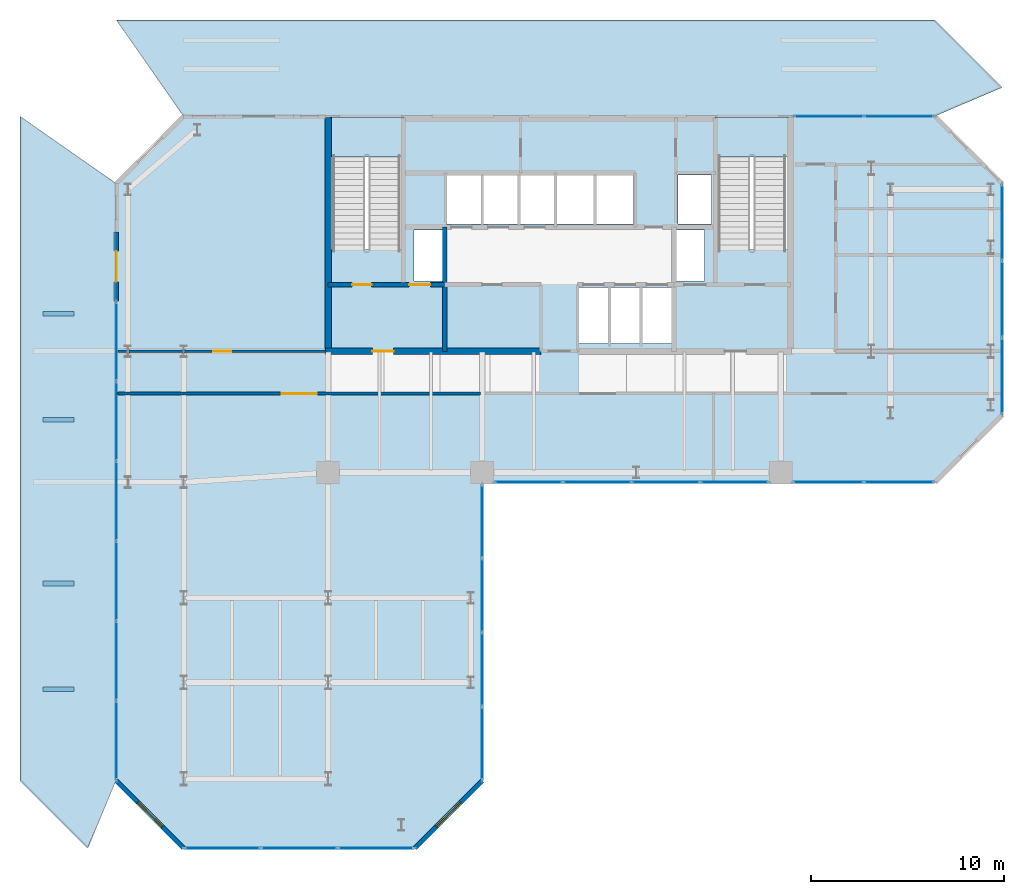
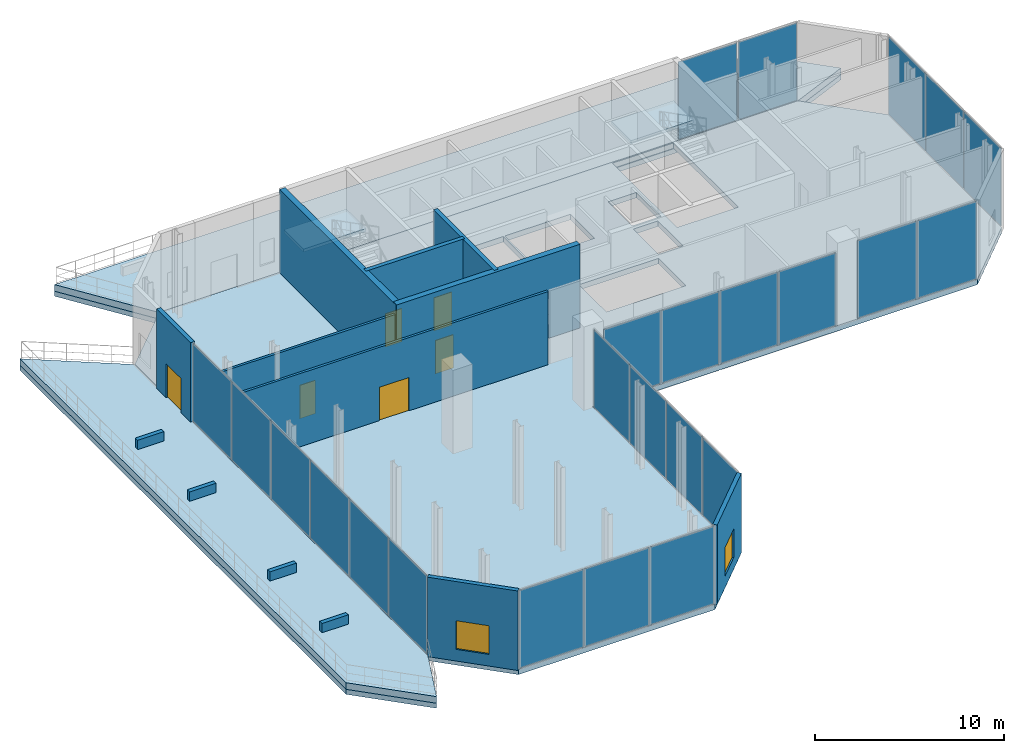
# One storey, part 14 of 18: 24 plates, 13 walls, 7 slabs, 6 doors, 2 windows, 8 openings, 9 elements without a shape of their own.
"""IFC4 building model written with IfcOpenShell, lengths in metres."""

from ifc_helpers import new_model, si_unit, direction, frame, frame_2d, origin, origin_2d, place, context, subcontext, project, spatial, polyline, rectangle, outline, extrude, material, layer, layer_set, type_object, element, fill, aggregate, save


model = new_model("IFC4")

# Units and contexts
model_context = context("Model", 3, precision=1e-05, world=origin(), true_north=direction((0.0, 1.0)))
body_context = subcontext(model_context, "Body", "Model", "MODEL_VIEW")
ifc_project = project(units=[si_unit("LENGTHUNIT", "METRE"), si_unit("AREAUNIT", "SQUARE_METRE"), si_unit("VOLUMEUNIT", "CUBIC_METRE"), si_unit("PLANEANGLEUNIT", "RADIAN"), si_unit("MASSUNIT", "GRAM", prefix="KILO")], contexts=[model_context])

# Site, building, storey
site_placement = place(None, origin())
site = spatial("IfcSite", under=ifc_project, at=site_placement, CompositionType="ELEMENT")
building_placement = place(site_placement, origin())
building = spatial("IfcBuilding", under=site, at=building_placement, Name="Catumbela Crestline Tower", CompositionType="ELEMENT")
storey_placement = place(building_placement, frame((0.0, 0.0, 148.8)))
storey = spatial("IfcBuildingStorey", under=building, at=storey_placement, Name="L38", CompositionType="ELEMENT", Elevation=148.8)

# Curtain wall, plates
ifc_material_1 = material(Name="Aluminium alloy AW-6060-T66", Category="aluminium")
ifc_layer_1 = layer(ifc_material_1, 0.18, Name="Aluminium alloy AW-6060-T66")
ifc_layer_set_1 = layer_set([ifc_layer_1], Name="Aluminium alloy AW-6060-T66")
curtain_wall_type = type_object("IfcCurtainWallType", Name="CWU-SKY", PredefinedType="USERDEFINED", material=ifc_layer_set_1)
curtain_wall_1_placement = place(storey_placement, origin())
curtain_wall_1 = element("IfcCurtainWall", 1, at=curtain_wall_1_placement, inside=storey, type_object=curtain_wall_type, Name="L38 Unitised Curtain Wall CW-L38-E0S1", ObjectType="UNITISED", PredefinedType="USERDEFINED")
ifc_material_2 = material(Name="Low-E laminated solar-control double glazing", Category="glass")
ifc_layer_2 = layer(ifc_material_2, 0.036, Name="Low-E laminated solar-control double glazing")
ifc_layer_set_2 = layer_set([ifc_layer_2], Name="Low-E laminated solar-control double glazing")
plate_type = type_object("IfcPlateType", Name="PNL-GLZ-SK", PredefinedType="CURTAIN_PANEL", material=ifc_layer_set_2)
plate_1_placement = place(storey_placement, frame((10.5162, 5.0, 0.06), z_axis=(0.0, 0.0, 1.0), x_axis=(1.0, 0.0, 0.0)))
plate_1 = element("IfcPlate", 2, at=plate_1_placement, type_object=plate_type, Name="CWU-SKY panel 1.1", PredefinedType="CURTAIN_PANEL", context=body_context, shape_type="SweptSolid", body=[
    extrude(rectangle(XDim=3.9025, YDim=0.034, at=origin_2d()), origin(), (0.0, 0.0, 1.0), 5.01),
])
plate_2_placement = place(storey_placement, frame((14.5, 5.0, 0.06), z_axis=(0.0, 0.0, 1.0), x_axis=(1.0, 0.0, 0.0)))
plate_2 = element("IfcPlate", 3, at=plate_2_placement, type_object=plate_type, Name="CWU-SKY panel 2.1", PredefinedType="CURTAIN_PANEL", context=body_context, shape_type="SweptSolid", body=[
    extrude(rectangle(XDim=3.935, YDim=0.034, at=origin_2d()), origin(), (0.0, 0.0, 1.0), 5.01),
])
plate_3_placement = place(storey_placement, frame((18.4838, 5.0, 0.06), z_axis=(0.0, 0.0, 1.0), x_axis=(1.0, 0.0, 0.0)))
plate_3 = element("IfcPlate", 4, at=plate_3_placement, type_object=plate_type, Name="CWU-SKY panel 3.1", PredefinedType="CURTAIN_PANEL", context=body_context, shape_type="SweptSolid", body=[
    extrude(rectangle(XDim=3.9025, YDim=0.034, at=origin_2d()), origin(), (0.0, 0.0, 1.0), 5.01),
])
aggregate(curtain_wall_1, [plate_1, plate_2, plate_3])

curtain_wall_2_placement = place(storey_placement, origin())
curtain_wall_2 = element("IfcCurtainWall", 5, at=curtain_wall_2_placement, inside=storey, type_object=curtain_wall_type, Name="L38 Unitised Curtain Wall CW-L38-E2S1", ObjectType="UNITISED", PredefinedType="USERDEFINED")
plate_4_placement = place(storey_placement, frame((24.0, 10.4412, 0.06), z_axis=(0.0, 0.0, 1.0), x_axis=(0.0, 1.0, 0.0)))
plate_4 = element("IfcPlate", 6, at=plate_4_placement, type_object=plate_type, Name="CWU-SKY panel 1.1", PredefinedType="CURTAIN_PANEL", context=body_context, shape_type="SweptSolid", body=[
    extrude(rectangle(XDim=3.7525, YDim=0.034, at=origin_2d()), origin(), (0.0, 0.0, 1.0), 5.01),
])
plate_5_placement = place(storey_placement, frame((24.0, 14.275, 0.06), z_axis=(0.0, 0.0, 1.0), x_axis=(0.0, 1.0, 0.0)))
plate_5 = element("IfcPlate", 7, at=plate_5_placement, type_object=plate_type, Name="CWU-SKY panel 2.1", PredefinedType="CURTAIN_PANEL", context=body_context, shape_type="SweptSolid", body=[
    extrude(rectangle(XDim=3.785, YDim=0.034, at=origin_2d()), origin(), (0.0, 0.0, 1.0), 5.01),
])
plate_6_placement = place(storey_placement, frame((24.0, 18.125, 0.06), z_axis=(0.0, 0.0, 1.0), x_axis=(0.0, 1.0, 0.0)))
plate_6 = element("IfcPlate", 8, at=plate_6_placement, type_object=plate_type, Name="CWU-SKY panel 3.1", PredefinedType="CURTAIN_PANEL", context=body_context, shape_type="SweptSolid", body=[
    extrude(rectangle(XDim=3.785, YDim=0.034, at=origin_2d()), origin(), (0.0, 0.0, 1.0), 5.01),
])
plate_7_placement = place(storey_placement, frame((24.0, 21.9587, 0.06), z_axis=(0.0, 0.0, 1.0), x_axis=(0.0, 1.0, 0.0)))
plate_7 = element("IfcPlate", 9, at=plate_7_placement, type_object=plate_type, Name="CWU-SKY panel 4.1", PredefinedType="CURTAIN_PANEL", context=body_context, shape_type="SweptSolid", body=[
    extrude(rectangle(XDim=3.7525, YDim=0.034, at=origin_2d()), origin(), (0.0, 0.0, 1.0), 5.01),
])
aggregate(curtain_wall_2, [plate_4, plate_5, plate_6, plate_7])

curtain_wall_3_placement = place(storey_placement, origin())
curtain_wall_3 = element("IfcCurtainWall", 10, at=curtain_wall_3_placement, inside=storey, type_object=curtain_wall_type, Name="L38 Unitised Curtain Wall CW-L38-E3S1", ObjectType="UNITISED", PredefinedType="USERDEFINED")
plate_8_placement = place(storey_placement, frame((26.4038, 24.0, 0.06), z_axis=(0.0, 0.0, 1.0), x_axis=(1.0, 0.0, 0.0)))
plate_8 = element("IfcPlate", 11, at=plate_8_placement, type_object=plate_type, Name="CWU-SKY panel 1.1", PredefinedType="CURTAIN_PANEL", context=body_context, shape_type="SweptSolid", body=[
    extrude(rectangle(XDim=3.4775, YDim=0.034, at=origin_2d()), origin(), (0.0, 0.0, 1.0), 4.69),
])
plate_9_placement = place(storey_placement, frame((29.9625, 24.0, 0.06), z_axis=(0.0, 0.0, 1.0), x_axis=(1.0, 0.0, 0.0)))
plate_9 = element("IfcPlate", 12, at=plate_9_placement, type_object=plate_type, Name="CWU-SKY panel 2.1", PredefinedType="CURTAIN_PANEL", context=body_context, shape_type="SweptSolid", body=[
    extrude(rectangle(XDim=3.51, YDim=0.034, at=origin_2d()), origin(), (0.0, 0.0, 1.0), 4.69),
])
plate_10_placement = place(storey_placement, frame((33.5375, 24.0, 0.06), z_axis=(0.0, 0.0, 1.0), x_axis=(1.0, 0.0, 0.0)))
plate_10 = element("IfcPlate", 13, at=plate_10_placement, type_object=plate_type, Name="CWU-SKY panel 3.1", PredefinedType="CURTAIN_PANEL", context=body_context, shape_type="SweptSolid", body=[
    extrude(rectangle(XDim=3.51, YDim=0.034, at=origin_2d()), origin(), (0.0, 0.0, 1.0), 4.69),
])
plate_11_placement = place(storey_placement, frame((37.0962, 24.0, 0.06), z_axis=(0.0, 0.0, 1.0), x_axis=(1.0, 0.0, 0.0)))
plate_11 = element("IfcPlate", 14, at=plate_11_placement, type_object=plate_type, Name="CWU-SKY panel 4.1", PredefinedType="CURTAIN_PANEL", context=body_context, shape_type="SweptSolid", body=[
    extrude(rectangle(XDim=3.4775, YDim=0.034, at=origin_2d()), origin(), (0.0, 0.0, 1.0), 4.69),
])
aggregate(curtain_wall_3, [plate_8, plate_9, plate_10, plate_11])

curtain_wall_4_placement = place(storey_placement, origin())
curtain_wall_4 = element("IfcCurtainWall", 15, at=curtain_wall_4_placement, inside=storey, type_object=curtain_wall_type, Name="L38 Unitised Curtain Wall CW-L38-E3S2", ObjectType="UNITISED", PredefinedType="USERDEFINED")
plate_12_placement = place(storey_placement, frame((41.9662, 24.0, 0.06), z_axis=(0.0, 0.0, 1.0), x_axis=(1.0, 0.0, 0.0)))
plate_12 = element("IfcPlate", 16, at=plate_12_placement, type_object=plate_type, Name="CWU-SKY panel 1.1", PredefinedType="CURTAIN_PANEL", context=body_context, shape_type="SweptSolid", body=[
    extrude(rectangle(XDim=3.6025, YDim=0.034, at=origin_2d()), origin(), (0.0, 0.0, 1.0), 5.01),
])
plate_13_placement = place(storey_placement, frame((45.6338, 24.0, 0.06), z_axis=(0.0, 0.0, 1.0), x_axis=(1.0, 0.0, 0.0)))
plate_13 = element("IfcPlate", 17, at=plate_13_placement, type_object=plate_type, Name="CWU-SKY panel 2.1", PredefinedType="CURTAIN_PANEL", context=body_context, shape_type="SweptSolid", body=[
    extrude(rectangle(XDim=3.6025, YDim=0.034, at=origin_2d()), origin(), (0.0, 0.0, 1.0), 5.01),
])
aggregate(curtain_wall_4, [plate_12, plate_13])

curtain_wall_5_placement = place(storey_placement, origin())
curtain_wall_5 = element("IfcCurtainWall", 18, at=curtain_wall_5_placement, inside=storey, type_object=curtain_wall_type, Name="L38 Unitised Curtain Wall CW-L38-E5S1", ObjectType="UNITISED", PredefinedType="USERDEFINED")
plate_14_placement = place(storey_placement, frame((51.0, 29.5162, 0.06), z_axis=(0.0, 0.0, 1.0), x_axis=(0.0, 1.0, 0.0)))
plate_14 = element("IfcPlate", 19, at=plate_14_placement, type_object=plate_type, Name="CWU-SKY panel 1.1", PredefinedType="CURTAIN_PANEL", context=body_context, shape_type="SweptSolid", body=[
    extrude(rectangle(XDim=3.9025, YDim=0.034, at=origin_2d()), origin(), (0.0, 0.0, 1.0), 5.01),
])
plate_15_placement = place(storey_placement, frame((51.0, 33.5, 0.06), z_axis=(0.0, 0.0, 1.0), x_axis=(0.0, 1.0, 0.0)))
plate_15 = element("IfcPlate", 20, at=plate_15_placement, type_object=plate_type, Name="CWU-SKY panel 2.1", PredefinedType="CURTAIN_PANEL", context=body_context, shape_type="SweptSolid", body=[
    extrude(rectangle(XDim=3.935, YDim=0.034, at=origin_2d()), origin(), (0.0, 0.0, 1.0), 5.01),
])
plate_16_placement = place(storey_placement, frame((51.0, 37.4838, 0.06), z_axis=(0.0, 0.0, 1.0), x_axis=(0.0, 1.0, 0.0)))
plate_16 = element("IfcPlate", 21, at=plate_16_placement, type_object=plate_type, Name="CWU-SKY panel 3.1", PredefinedType="CURTAIN_PANEL", context=body_context, shape_type="SweptSolid", body=[
    extrude(rectangle(XDim=3.9025, YDim=0.034, at=origin_2d()), origin(), (0.0, 0.0, 1.0), 5.01),
])
aggregate(curtain_wall_5, [plate_14, plate_15, plate_16])

curtain_wall_6_placement = place(storey_placement, origin())
curtain_wall_6 = element("IfcCurtainWall", 22, at=curtain_wall_6_placement, inside=storey, type_object=curtain_wall_type, Name="L38 Unitised Curtain Wall CW-L38-E7S1", ObjectType="UNITISED", PredefinedType="USERDEFINED")
plate_17_placement = place(storey_placement, frame((45.6438, 43.0, 0.06), z_axis=(0.0, 0.0, 1.0), x_axis=(-1.0, 0.0, 0.0)))
plate_17 = element("IfcPlate", 23, at=plate_17_placement, type_object=plate_type, Name="CWU-SKY panel 1.1", PredefinedType="CURTAIN_PANEL", context=body_context, shape_type="SweptSolid", body=[
    extrude(rectangle(XDim=3.5825, YDim=0.034, at=origin_2d()), origin(), (0.0, 0.0, 1.0), 5.01),
])
plate_18_placement = place(storey_placement, frame((41.9963, 43.0, 0.06), z_axis=(0.0, 0.0, 1.0), x_axis=(-1.0, 0.0, 0.0)))
plate_18 = element("IfcPlate", 24, at=plate_18_placement, type_object=plate_type, Name="CWU-SKY panel 2.1", PredefinedType="CURTAIN_PANEL", context=body_context, shape_type="SweptSolid", body=[
    extrude(rectangle(XDim=3.5825, YDim=0.034, at=origin_2d()), origin(), (0.0, 0.0, 1.0), 5.01),
])
aggregate(curtain_wall_6, [plate_17, plate_18])

curtain_wall_7_placement = place(storey_placement, origin())
curtain_wall_7 = element("IfcCurtainWall", 25, at=curtain_wall_7_placement, inside=storey, type_object=curtain_wall_type, Name="L38 Unitised Curtain Wall CW-L38-E9S2", ObjectType="UNITISED", PredefinedType="USERDEFINED")
plate_19_placement = place(storey_placement, frame((5.0, 31.3088, 0.06), z_axis=(0.0, 0.0, 1.0), x_axis=(0.0, -1.0, 0.0)))
plate_19 = element("IfcPlate", 26, at=plate_19_placement, type_object=plate_type, Name="CWU-SKY panel 1.1", PredefinedType="CURTAIN_PANEL", context=body_context, shape_type="SweptSolid", body=[
    extrude(rectangle(XDim=4.0525, YDim=0.034, at=origin_2d()), origin(), (0.0, 0.0, 1.0), 5.01),
])
plate_20_placement = place(storey_placement, frame((5.0, 27.175, 0.06), z_axis=(0.0, 0.0, 1.0), x_axis=(0.0, -1.0, 0.0)))
plate_20 = element("IfcPlate", 27, at=plate_20_placement, type_object=plate_type, Name="CWU-SKY panel 2.1", PredefinedType="CURTAIN_PANEL", context=body_context, shape_type="SweptSolid", body=[
    extrude(rectangle(XDim=4.085, YDim=0.034, at=origin_2d()), origin(), (0.0, 0.0, 1.0), 5.01),
])
plate_21_placement = place(storey_placement, frame((5.0, 23.025, 0.06), z_axis=(0.0, 0.0, 1.0), x_axis=(0.0, -1.0, 0.0)))
plate_21 = element("IfcPlate", 28, at=plate_21_placement, type_object=plate_type, Name="CWU-SKY panel 3.1", PredefinedType="CURTAIN_PANEL", context=body_context, shape_type="SweptSolid", body=[
    extrude(rectangle(XDim=4.085, YDim=0.034, at=origin_2d()), origin(), (0.0, 0.0, 1.0), 5.01),
])
plate_22_placement = place(storey_placement, frame((5.0, 18.875, 0.06), z_axis=(0.0, 0.0, 1.0), x_axis=(0.0, -1.0, 0.0)))
plate_22 = element("IfcPlate", 29, at=plate_22_placement, type_object=plate_type, Name="CWU-SKY panel 4.1", PredefinedType="CURTAIN_PANEL", context=body_context, shape_type="SweptSolid", body=[
    extrude(rectangle(XDim=4.085, YDim=0.034, at=origin_2d()), origin(), (0.0, 0.0, 1.0), 5.01),
])
plate_23_placement = place(storey_placement, frame((5.0, 14.725, 0.06), z_axis=(0.0, 0.0, 1.0), x_axis=(0.0, -1.0, 0.0)))
plate_23 = element("IfcPlate", 30, at=plate_23_placement, type_object=plate_type, Name="CWU-SKY panel 5.1", PredefinedType="CURTAIN_PANEL", context=body_context, shape_type="SweptSolid", body=[
    extrude(rectangle(XDim=4.085, YDim=0.034, at=origin_2d()), origin(), (0.0, 0.0, 1.0), 5.01),
])
plate_24_placement = place(storey_placement, frame((5.0, 10.5912, 0.06), z_axis=(0.0, 0.0, 1.0), x_axis=(0.0, -1.0, 0.0)))
plate_24 = element("IfcPlate", 31, at=plate_24_placement, type_object=plate_type, Name="CWU-SKY panel 6.1", PredefinedType="CURTAIN_PANEL", context=body_context, shape_type="SweptSolid", body=[
    extrude(rectangle(XDim=4.0525, YDim=0.034, at=origin_2d()), origin(), (0.0, 0.0, 1.0), 5.01),
])
aggregate(curtain_wall_7, [plate_19, plate_20, plate_21, plate_22, plate_23, plate_24])

# Stair, slab
ifc_material_3 = material(Name="Concrete C45/55", Category="concrete")
stair_type = type_object("IfcStairType", Name="ST-DLG", PredefinedType="HALF_TURN_STAIR", material=ifc_material_3)
stair_1_placement = place(storey_placement, origin())
stair_1 = element("IfcStair", 32, at=stair_1_placement, inside=storey, type_object=stair_type, Name="L38 West Core Pressurised Exit Stair ST-01", PredefinedType="HALF_TURN_STAIR")
ifc_layer_3 = layer(ifc_material_3, 0.2, Name="Concrete C45/55")
ifc_layer_set_3 = layer_set([ifc_layer_3], Name="Concrete C45/55")
slab_type_1 = type_object("IfcSlabType", Name="SL-LND", PredefinedType="LANDING", material=ifc_layer_set_3)
slab_1_placement = place(storey_placement, frame((0.0, 0.0, 2.5)))
slab_1 = element("IfcSlab", 33, at=slab_1_placement, type_object=slab_type_1, Name="ST-01 landing 1", PredefinedType="LANDING", context=body_context, shape_type="SweptSolid", body=[
    extrude(outline(polyline([(19.91, 40.88), (19.91, 42.96), (16.09, 42.96), (16.09, 40.88), (19.91, 40.88)])), origin(), (0.0, 0.0, 1.0), 0.2),
])
aggregate(stair_1, [slab_1])

stair_2_placement = place(storey_placement, origin())
stair_2 = element("IfcStair", 34, at=stair_2_placement, inside=storey, type_object=stair_type, Name="L38 East Core Pressurised Exit Stair ST-02", PredefinedType="HALF_TURN_STAIR")
slab_2_placement = place(storey_placement, frame((0.0, 0.0, 2.5)))
slab_2 = element("IfcSlab", 35, at=slab_2_placement, type_object=slab_type_1, Name="ST-02 landing 1", PredefinedType="LANDING", context=body_context, shape_type="SweptSolid", body=[
    extrude(outline(polyline([(39.91, 40.88), (39.91, 42.96), (36.09, 42.96), (36.09, 40.88), (39.91, 40.88)])), origin(), (0.0, 0.0, 1.0), 0.2),
])
aggregate(stair_2, [slab_2])

# Slabs
ifc_material_4 = material(Name="Concrete C50/60", Category="concrete")
ifc_layer_4 = layer(ifc_material_4, 0.35, Name="Concrete C50/60")
ifc_layer_set_4 = layer_set([ifc_layer_4], Name="Concrete C50/60")
slab_type_2 = type_object("IfcSlabType", Name="SL-350M", PredefinedType="FLOOR", material=ifc_layer_set_4)
slab_3_placement = place(storey_placement, frame((0.0, 0.0, -0.35)))
element("IfcSlab", 36, at=slab_3_placement, inside=storey, type_object=slab_type_2, Name="L38 Structural Floor Slab", PredefinedType="FLOOR", context=body_context, shape_type="SweptSolid", body=[
    extrude(outline(polyline([(8.5, 5.0), (20.5, 5.0), (24.0, 8.5), (24.0, 24.0), (47.5, 24.0), (51.0, 27.5), (51.0, 39.5), (47.5, 43.0), (8.5, 43.0), (5.0, 39.5), (5.0, 8.5), (8.5, 5.0)]), holes=[polyline([(16.13, 36.08), (19.87, 36.08), (19.87, 42.92), (16.13, 42.92), (16.13, 36.08)]), polyline([(36.13, 36.08), (39.87, 36.08), (39.87, 42.92), (36.13, 42.92), (36.13, 36.08)]), polyline([(29.0, 31.2), (33.85, 31.2), (33.85, 34.1), (29.0, 34.1), (29.0, 31.2)]), polyline([(22.15, 37.4), (27.75, 37.4), (27.75, 39.95), (22.15, 39.95), (22.15, 37.4)]), polyline([(27.85, 37.4), (31.85, 37.4), (31.85, 39.95), (27.85, 39.95), (27.85, 37.4)]), polyline([(20.45, 34.45), (21.95, 34.45), (21.95, 37.1), (20.45, 37.1), (20.45, 34.45)]), polyline([(34.05, 34.45), (35.55, 34.45), (35.55, 37.1), (34.05, 37.1), (34.05, 34.45)]), polyline([(34.15, 37.4), (35.9, 37.4), (35.9, 39.95), (34.15, 39.95), (34.15, 37.4)])]), origin(), (0.0, 0.0, 1.0), 0.35),
])
ifc_layer_5 = layer(ifc_material_4, 0.32, Name="Concrete C50/60")
ifc_layer_set_5 = layer_set([ifc_layer_5], Name="Concrete C50/60")
slab_type_3 = type_object("IfcSlabType", Name="ST-320G", PredefinedType="ROOF", material=ifc_layer_set_5)
slab_4_placement = place(storey_placement, frame((0.0, 0.0, -0.77)))
element("IfcSlab", 37, at=slab_4_placement, inside=storey, type_object=slab_type_3, Name="L38 Planted Sky Garden Terrace Slab TER-L38-W", PredefinedType="ROOF", context=body_context, shape_type="SweptSolid", body=[
    extrude(outline(polyline([(0.0, 8.5), (3.5, 5.0), (4.99, 8.5), (4.99, 39.5), (0.0, 43.0), (0.0, 8.5)])), origin(), (0.0, 0.0, 1.0), 0.32),
])
slab_5_placement = place(storey_placement, frame((0.0, 0.0, -0.77)))
element("IfcSlab", 38, at=slab_5_placement, inside=storey, type_object=slab_type_3, Name="L38 Planted Sky Garden Terrace Slab TER-L38-N", PredefinedType="ROOF", context=body_context, shape_type="SweptSolid", body=[
    extrude(outline(polyline([(8.5, 43.01), (47.5, 43.01), (51.0, 44.5), (47.5, 48.0), (5.0, 48.0), (8.5, 43.01)])), origin(), (0.0, 0.0, 1.0), 0.32),
])
ifc_material_5 = material(Name="Angolan grey-ochre granite", Category="masonry")
ifc_layer_6 = layer(ifc_material_5, 0.43, Name="Angolan grey-ochre granite")
ifc_layer_set_6 = layer_set([ifc_layer_6], Name="Angolan grey-ochre granite")
slab_type_4 = type_object("IfcSlabType", Name="STD-430", PredefinedType="USERDEFINED", material=ifc_layer_set_6)
slab_6_placement = place(storey_placement, frame((0.0, 0.0, -0.45)))
element("IfcSlab", 39, at=slab_6_placement, inside=storey, type_object=slab_type_4, Name="L38 Permeable Granite Sky-Garden Terrace Deck TER-L38-W", ObjectType="TERRACE", PredefinedType="USERDEFINED", context=body_context, shape_type="SweptSolid", body=[
    extrude(outline(polyline([(0.0, 8.5), (3.5, 5.0), (4.99, 8.5), (4.99, 39.5), (0.0, 43.0), (0.0, 8.5)])), origin(), (0.0, 0.0, 1.0), 0.43),
])
slab_7_placement = place(storey_placement, frame((0.0, 0.0, -0.45)))
element("IfcSlab", 40, at=slab_7_placement, inside=storey, type_object=slab_type_4, Name="L38 Permeable Granite Sky-Garden Terrace Deck TER-L38-N", ObjectType="TERRACE", PredefinedType="USERDEFINED", context=body_context, shape_type="SweptSolid", body=[
    extrude(outline(polyline([(8.5, 43.01), (47.5, 43.01), (51.0, 44.5), (47.5, 48.0), (5.0, 48.0), (8.5, 43.01)])), origin(), (0.0, 0.0, 1.0), 0.43),
])

# Wall
ifc_layer_7 = layer(ifc_material_4, 0.25, Name="Concrete C50/60")
ifc_layer_set_7 = layer_set([ifc_layer_7], Name="Concrete C50/60")
wall_type_1 = type_object("IfcWallType", Name="CW-250D", PredefinedType="SHEAR", material=ifc_layer_set_7)
wall_1_placement = place(storey_placement, frame((22.05, 30.8, 0.0), z_axis=(0.0, 0.0, 1.0), x_axis=(0.0, 1.0, 0.0)))
element("IfcWall", 41, at=wall_1_placement, inside=storey, type_object=wall_type_1, Name="L38 Structural Core Shear Wall FFW", PredefinedType="SHEAR", context=body_context, shape_type="SweptSolid", body=[
    extrude(rectangle(XDim=6.45, YDim=0.25, at=frame_2d((3.225, 0.0))), origin(), (0.0, 0.0, 1.0), 5.4),
])

# Wall, openings, doors
wall_2_placement = place(storey_placement, frame((16.0, 34.25, 0.0), z_axis=(0.0, 0.0, 1.0), x_axis=(1.0, 0.0, 0.0)))
wall_2 = element("IfcWall", 42, at=wall_2_placement, inside=storey, type_object=wall_type_1, Name="L38 Structural Core Shear Wall ST1S", PredefinedType="SHEAR", context=body_context, shape_type="SweptSolid", body=[
    extrude(rectangle(XDim=6.05, YDim=0.25, at=frame_2d((3.025, 0.0))), origin(), (0.0, 0.0, 1.0), 5.4),
])
opening_1_placement = place(wall_2_placement, frame((1.25, 0.0, 0.0)))
opening_1 = element("IfcOpeningElement", 43, at=opening_1_placement, cuts=wall_2, Name="Opening DF9-100", PredefinedType="OPENING", context=body_context, shape_type="SweptSolid", body=[
    extrude(rectangle(XDim=1.0, YDim=2.15, at=frame_2d((0.5, 1.075))), frame((0.0, 0.135, 0.0), z_axis=(0.0, -1.0, 0.0), x_axis=(1.0, 0.0, 0.0)), (0.0, 0.0, 1.0), 0.27),
])
opening_2_placement = place(wall_2_placement, frame((4.2, 0.0, 0.0)))
opening_2 = element("IfcOpeningElement", 44, at=opening_2_placement, cuts=wall_2, Name="Opening LD-110", PredefinedType="OPENING", context=body_context, shape_type="SweptSolid", body=[
    extrude(rectangle(XDim=1.1, YDim=2.15, at=frame_2d((0.55, 1.075))), frame((0.0, 0.135, 0.0), z_axis=(0.0, -1.0, 0.0), x_axis=(1.0, 0.0, 0.0)), (0.0, 0.0, 1.0), 0.27),
])
ifc_material_6 = material(Name="Stainless steel EN 1.4401", Category="steel")
door_type_1 = type_object("IfcDoorType", Name="DF9-100", OperationType="NOTDEFINED", PredefinedType="DOOR", material=ifc_material_6)
door_1_placement = place(opening_1_placement, origin())
door_1 = element("IfcDoor", 45, at=door_1_placement, inside=storey, type_object=door_type_1, Name="L38 Interior Door DR-L38-ST01", OperationType="SINGLE_SWING_LEFT", OverallHeight=2.15, OverallWidth=1.0, PredefinedType="DOOR", context=body_context, shape_type="SweptSolid", body=[
    extrude(rectangle(XDim=1.0, YDim=2.15, at=frame_2d((0.5, 1.075))), frame((0.0, 0.025, 0.0), z_axis=(0.0, -1.0, 0.0), x_axis=(1.0, 0.0, 0.0)), (0.0, 0.0, 1.0), 0.05),
])
fill(opening_1, door_1)
door_type_2 = type_object("IfcDoorType", Name="LD-110", OperationType="NOTDEFINED", PredefinedType="DOOR", material=ifc_material_6)
door_2_placement = place(opening_2_placement, origin())
door_2 = element("IfcDoor", 46, at=door_2_placement, inside=storey, type_object=door_type_2, Name="L38 Lift Landing Sliding Door FL-01", OperationType="DOUBLE_DOOR_SLIDING", OverallHeight=2.15, OverallWidth=1.1, PredefinedType="DOOR", context=body_context, shape_type="SweptSolid", body=[
    extrude(rectangle(XDim=1.1, YDim=2.15, at=frame_2d((0.55, 1.075))), frame((0.0, 0.025, 0.0), z_axis=(0.0, -1.0, 0.0), x_axis=(1.0, 0.0, 0.0)), (0.0, 0.0, 1.0), 0.05),
])
fill(opening_2, door_2)

# Wall
ifc_layer_8 = layer(ifc_material_4, 0.35, Name="Concrete C50/60")
ifc_layer_set_8 = layer_set([ifc_layer_8], Name="Concrete C50/60")
wall_type_2 = type_object("IfcWallType", Name="CW-350B", PredefinedType="SHEAR", material=ifc_layer_set_8)
wall_3_placement = place(storey_placement, frame((16.0, 30.65, 0.0), z_axis=(0.0, 0.0, 1.0), x_axis=(0.0, 1.0, 0.0)))
element("IfcWall", 47, at=wall_3_placement, inside=storey, type_object=wall_type_2, Name="L38 Structural Core Shear Wall W", PredefinedType="SHEAR", context=body_context, shape_type="SweptSolid", body=[
    extrude(rectangle(XDim=12.3, YDim=0.35, at=frame_2d((6.15, 0.0))), origin(), (0.0, 0.0, 1.0), 5.4),
])

# Wall, opening, door
wall_4_placement = place(storey_placement, frame((15.85, 30.8, 0.0), z_axis=(0.0, 0.0, 1.0), x_axis=(1.0, 0.0, 0.0)))
wall_4 = element("IfcWall", 48, at=wall_4_placement, inside=storey, type_object=wall_type_2, Name="L38 Structural Core Shear Wall SW", PredefinedType="SHEAR", context=body_context, shape_type="SweptSolid", body=[
    extrude(rectangle(XDim=11.2, YDim=0.35, at=frame_2d((5.6, 0.0))), origin(), (0.0, 0.0, 1.0), 5.4),
])
opening_3_placement = place(wall_4_placement, frame((2.45, 0.0, 0.0)))
opening_3 = element("IfcOpeningElement", 49, at=opening_3_placement, cuts=wall_4, Name="Opening DF9-110", PredefinedType="OPENING", context=body_context, shape_type="SweptSolid", body=[
    extrude(rectangle(XDim=1.1, YDim=2.15, at=frame_2d((0.55, 1.075))), frame((0.0, 0.185, 0.0), z_axis=(0.0, -1.0, 0.0), x_axis=(1.0, 0.0, 0.0)), (0.0, 0.0, 1.0), 0.37),
])
door_type_3 = type_object("IfcDoorType", Name="DF9-110", OperationType="NOTDEFINED", PredefinedType="DOOR", material=ifc_material_6)
door_3_placement = place(opening_3_placement, origin())
door_3 = element("IfcDoor", 50, at=door_3_placement, inside=storey, type_object=door_type_3, Name="L38 Interior Door DR-L38-FFW-S", OperationType="SINGLE_SWING_LEFT", OverallHeight=2.15, OverallWidth=1.1, PredefinedType="DOOR", context=body_context, shape_type="SweptSolid", body=[
    extrude(rectangle(XDim=1.1, YDim=2.15, at=frame_2d((0.55, 1.075))), frame((0.0, 0.025, 0.0), z_axis=(0.0, -1.0, 0.0), x_axis=(1.0, 0.0, 0.0)), (0.0, 0.0, 1.0), 0.05),
])
fill(opening_3, door_3)

# Wall, opening, window
ifc_layer_9 = layer(ifc_material_5, 0.25, Name="Angolan grey-ochre granite")
ifc_layer_set_9 = layer_set([ifc_layer_9], Name="Angolan grey-ochre granite")
wall_type_3 = type_object("IfcWallType", Name="WE-250", PredefinedType="STANDARD", material=ifc_layer_set_9)
wall_5_placement = place(storey_placement, frame((20.5, 5.0, 0.0), z_axis=(0.0, 0.0, 1.0), x_axis=(0.707106781187, 0.707106781187, 0.0)))
wall_5 = element("IfcWall", 51, at=wall_5_placement, inside=storey, type_object=wall_type_3, Name="L38 Granite Punched Window Wall 1-1", PredefinedType="STANDARD", context=body_context, shape_type="SweptSolid", body=[
    extrude(rectangle(XDim=4.9497, YDim=0.25, at=frame_2d((2.4748, 0.0))), origin(), (0.0, 0.0, 1.0), 5.13),
])
opening_4_placement = place(wall_5_placement, frame((1.5749, 0.0, 0.75)))
opening_4 = element("IfcOpeningElement", 52, at=opening_4_placement, cuts=wall_5, Name="Opening WN-01", PredefinedType="OPENING", context=body_context, shape_type="SweptSolid", body=[
    extrude(rectangle(XDim=1.8, YDim=1.85, at=frame_2d((0.9, 0.925))), frame((0.0, 0.135, 0.0), z_axis=(0.0, -1.0, 0.0), x_axis=(1.0, 0.0, 0.0)), (0.0, 0.0, 1.0), 0.27),
])
window_type = type_object("IfcWindowType", Name="WF-1800", PartitioningType="SINGLE_PANEL", PredefinedType="WINDOW", material=ifc_material_2)
window_1_placement = place(opening_4_placement, origin())
window_1 = element("IfcWindow", 53, at=window_1_placement, inside=storey, type_object=window_type, Name="L38 Facade Vision Window 205", OverallHeight=1.85, OverallWidth=1.8, PartitioningType="SINGLE_PANEL", PredefinedType="WINDOW", context=body_context, shape_type="SweptSolid", body=[
    extrude(rectangle(XDim=1.8, YDim=1.85, at=frame_2d((0.9, 0.925))), frame((0.0, 0.03, 0.0), z_axis=(0.0, -1.0, 0.0), x_axis=(1.0, 0.0, 0.0)), (0.0, 0.0, 1.0), 0.06),
])
fill(opening_4, window_1)

# Wall, opening, door
wall_6_placement = place(storey_placement, frame((5.0, 37.0, 0.0), z_axis=(0.0, 0.0, 1.0), x_axis=(0.0, -1.0, 0.0)))
wall_6 = element("IfcWall", 54, at=wall_6_placement, inside=storey, type_object=wall_type_3, Name="L38 Exterior Threshold Portal Wall DR-L38-TER-W", PredefinedType="STANDARD", context=body_context, shape_type="SweptSolid", body=[
    extrude(rectangle(XDim=3.6, YDim=0.25, at=frame_2d((1.8, 0.0))), origin(), (0.0, 0.0, 1.0), 5.13),
])
opening_5_placement = place(wall_6_placement, frame((1.0, 0.0, 0.0)))
opening_5 = element("IfcOpeningElement", 55, at=opening_5_placement, cuts=wall_6, Name="Opening DT-04", PredefinedType="OPENING", context=body_context, shape_type="SweptSolid", body=[
    extrude(rectangle(XDim=1.6, YDim=2.2, at=frame_2d((0.8, 1.1))), frame((0.0, 0.135, 0.0), z_axis=(0.0, -1.0, 0.0), x_axis=(1.0, 0.0, 0.0)), (0.0, 0.0, 1.0), 0.27),
])
door_type_4 = type_object("IfcDoorType", Name="DT-1600", OperationType="NOTDEFINED", PredefinedType="DOOR", material=ifc_material_1)
door_4_placement = place(opening_5_placement, origin())
door_4 = element("IfcDoor", 56, at=door_4_placement, inside=storey, type_object=door_type_4, Name="L38 West Sky-Garden Terrace Door", OperationType="DOUBLE_DOOR_SINGLE_SWING", OverallHeight=2.2, OverallWidth=1.6, PredefinedType="DOOR", context=body_context, shape_type="SweptSolid", body=[
    extrude(rectangle(XDim=1.6, YDim=2.2, at=frame_2d((0.8, 1.1))), frame((0.0, 0.025, 0.0), z_axis=(0.0, -1.0, 0.0), x_axis=(1.0, 0.0, 0.0)), (0.0, 0.0, 1.0), 0.05),
])
fill(opening_5, door_4)

# Wall, opening, window
wall_7_placement = place(storey_placement, frame((5.0, 8.5, 0.0), z_axis=(0.0, 0.0, 1.0), x_axis=(0.707106781187, -0.707106781187, 0.0)))
wall_7 = element("IfcWall", 57, at=wall_7_placement, inside=storey, type_object=wall_type_3, Name="L38 Granite Punched Window Wall 10-1", PredefinedType="STANDARD", context=body_context, shape_type="SweptSolid", body=[
    extrude(rectangle(XDim=4.9497, YDim=0.25, at=frame_2d((2.4748, 0.0))), origin(), (0.0, 0.0, 1.0), 5.13),
])
opening_6_placement = place(wall_7_placement, frame((1.5749, 0.0, 0.75)))
opening_6 = element("IfcOpeningElement", 58, at=opening_6_placement, cuts=wall_7, Name="Opening WN-01", PredefinedType="OPENING", context=body_context, shape_type="SweptSolid", body=[
    extrude(rectangle(XDim=1.8, YDim=1.85, at=frame_2d((0.9, 0.925))), frame((0.0, 0.135, 0.0), z_axis=(0.0, -1.0, 0.0), x_axis=(1.0, 0.0, 0.0)), (0.0, 0.0, 1.0), 0.27),
])
window_2_placement = place(opening_6_placement, origin())
window_2 = element("IfcWindow", 59, at=window_2_placement, inside=storey, type_object=window_type, Name="L38 Facade Vision Window 213", OverallHeight=1.85, OverallWidth=1.8, PartitioningType="SINGLE_PANEL", PredefinedType="WINDOW", context=body_context, shape_type="SweptSolid", body=[
    extrude(rectangle(XDim=1.8, YDim=1.85, at=frame_2d((0.9, 0.925))), frame((0.0, 0.03, 0.0), z_axis=(0.0, -1.0, 0.0), x_axis=(1.0, 0.0, 0.0)), (0.0, 0.0, 1.0), 0.06),
])
fill(opening_6, window_2)

# Wall, opening, door
ifc_material_7 = material(Name="Acoustic gypsum and mineral-wool partition")
ifc_layer_10 = layer(ifc_material_7, 0.15, Name="Acoustic gypsum and mineral-wool partition")
ifc_layer_set_10 = layer_set([ifc_layer_10], Name="Acoustic gypsum and mineral-wool partition")
wall_type_4 = type_object("IfcWallType", Name="WP-150", PredefinedType="PARTITIONING", material=ifc_layer_set_10)
wall_8_placement = place(storey_placement, frame((5.1, 30.8, 0.0), z_axis=(0.0, 0.0, 1.0), x_axis=(1.0, 0.0, 0.0)))
wall_8 = element("IfcWall", 60, at=wall_8_placement, inside=storey, type_object=wall_type_4, Name="L38 Interior Partition PW-L38-SKNWL", PredefinedType="PARTITIONING", context=body_context, shape_type="SweptSolid", body=[
    extrude(rectangle(XDim=10.8, YDim=0.15, at=frame_2d((5.4, 0.0))), origin(), (0.0, 0.0, 1.0), 4.73),
])
opening_7_placement = place(wall_8_placement, frame((4.925, 0.0, 0.0)))
opening_7 = element("IfcOpeningElement", 61, at=opening_7_placement, cuts=wall_8, Name="Opening DF6-095", PredefinedType="OPENING", context=body_context, shape_type="SweptSolid", body=[
    extrude(rectangle(XDim=0.95, YDim=2.15, at=frame_2d((0.475, 1.075))), frame((0.0, 0.085, 0.0), z_axis=(0.0, -1.0, 0.0), x_axis=(1.0, 0.0, 0.0)), (0.0, 0.0, 1.0), 0.17),
])
door_type_5 = type_object("IfcDoorType", Name="DF6-095", OperationType="NOTDEFINED", PredefinedType="DOOR", material=ifc_material_1)
door_5_placement = place(opening_7_placement, origin())
door_5 = element("IfcDoor", 62, at=door_5_placement, inside=storey, type_object=door_type_5, Name="L38 Interior Door DR-L38-SKNWL", OperationType="SINGLE_SWING_RIGHT", OverallHeight=2.15, OverallWidth=0.95, PredefinedType="DOOR", context=body_context, shape_type="SweptSolid", body=[
    extrude(rectangle(XDim=0.95, YDim=2.15, at=frame_2d((0.475, 1.075))), frame((0.0, 0.025, 0.0), z_axis=(0.0, -1.0, 0.0), x_axis=(1.0, 0.0, 0.0)), (0.0, 0.0, 1.0), 0.05),
])
fill(opening_7, door_5)

wall_9_placement = place(storey_placement, frame((5.1, 28.6, 0.0), z_axis=(0.0, 0.0, 1.0), x_axis=(1.0, 0.0, 0.0)))
wall_9 = element("IfcWall", 63, at=wall_9_placement, inside=storey, type_object=wall_type_4, Name="L38 Interior Partition PW-L38-SKCLB", PredefinedType="PARTITIONING", context=body_context, shape_type="SweptSolid", body=[
    extrude(rectangle(XDim=18.8, YDim=0.15, at=frame_2d((9.4, 0.0))), origin(), (0.0, 0.0, 1.0), 4.73),
])
opening_8_placement = place(wall_9_placement, frame((8.5, 0.0, 0.0)))
opening_8 = element("IfcOpeningElement", 64, at=opening_8_placement, cuts=wall_9, Name="Opening DD-180", PredefinedType="OPENING", context=body_context, shape_type="SweptSolid", body=[
    extrude(rectangle(XDim=1.8, YDim=2.15, at=frame_2d((0.9, 1.075))), frame((0.0, 0.085, 0.0), z_axis=(0.0, -1.0, 0.0), x_axis=(1.0, 0.0, 0.0)), (0.0, 0.0, 1.0), 0.17),
])
door_type_6 = type_object("IfcDoorType", Name="DD-180", OperationType="NOTDEFINED", PredefinedType="DOOR", material=ifc_material_1)
door_6_placement = place(opening_8_placement, origin())
door_6 = element("IfcDoor", 65, at=door_6_placement, inside=storey, type_object=door_type_6, Name="L38 Interior Door DR-L38-SKCLB", OperationType="DOUBLE_DOOR_SINGLE_SWING", OverallHeight=2.15, OverallWidth=1.8, PredefinedType="DOOR", context=body_context, shape_type="SweptSolid", body=[
    extrude(rectangle(XDim=1.8, YDim=2.15, at=frame_2d((0.9, 1.075))), frame((0.0, 0.025, 0.0), z_axis=(0.0, -1.0, 0.0), x_axis=(1.0, 0.0, 0.0)), (0.0, 0.0, 1.0), 0.05),
])
fill(opening_8, door_6)

# Walls
ifc_material_8 = material(Name="Concrete C40/50", Category="concrete")
ifc_layer_11 = layer(ifc_material_8, 0.25, Name="Concrete C40/50")
ifc_layer_set_11 = layer_set([ifc_layer_11], Name="Concrete C40/50")
wall_type_5 = type_object("IfcWallType", Name="WPL-250", PredefinedType="USERDEFINED", material=ifc_layer_set_11)
for number, where, z_axis, x_axis, name in (
    (66, (1.2, 13.25, -0.02), (0.0, 0.0, 1.0), (1.0, 0.0, 0.0), "L38 Planted Sky-Garden GRC Planter Kerb 13"),
    (67, (1.2, 18.75, -0.02), (0.0, 0.0, 1.0), (1.0, 0.0, 0.0), "L38 Planted Sky-Garden GRC Planter Kerb 14"),
    (68, (1.2, 27.25, -0.02), (0.0, 0.0, 1.0), (1.0, 0.0, 0.0), "L38 Planted Sky-Garden GRC Planter Kerb 15"),
    (69, (1.2, 32.75, -0.02), (0.0, 0.0, 1.0), (1.0, 0.0, 0.0), "L38 Planted Sky-Garden GRC Planter Kerb 16"),
):
    element("IfcWall", number, at=place(storey_placement, frame(where, z_axis=z_axis, x_axis=x_axis)), inside=storey, type_object=wall_type_5, Name=name, ObjectType="PLANTER", PredefinedType="USERDEFINED", context=body_context, shape_type="SweptSolid", body=[
        extrude(rectangle(XDim=1.6, YDim=0.25, at=frame_2d((0.8, 0.0))), origin(), (0.0, 0.0, 1.0), 0.6),
    ])

save(model, "model.ifc")
